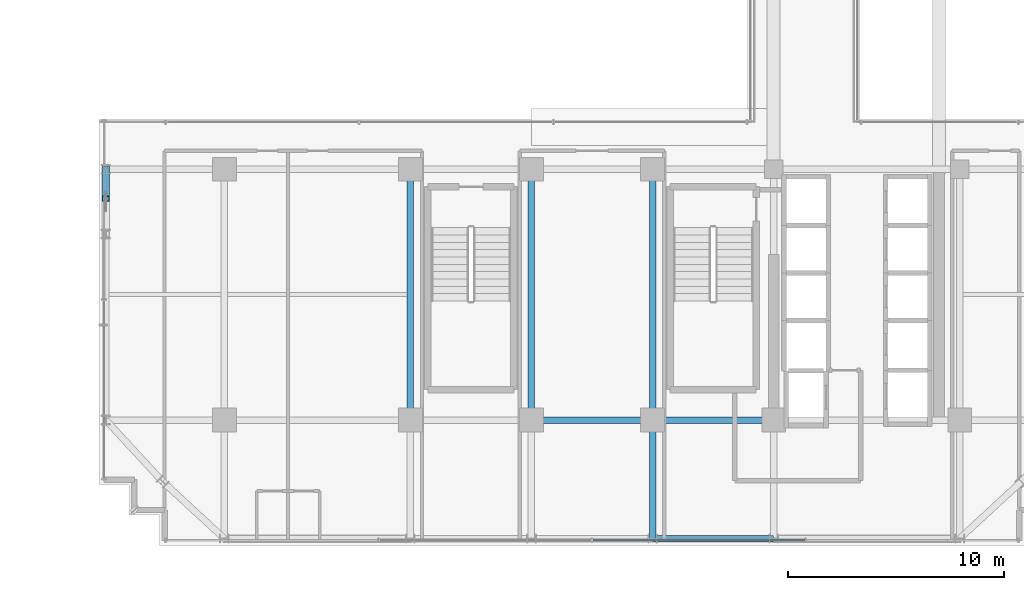
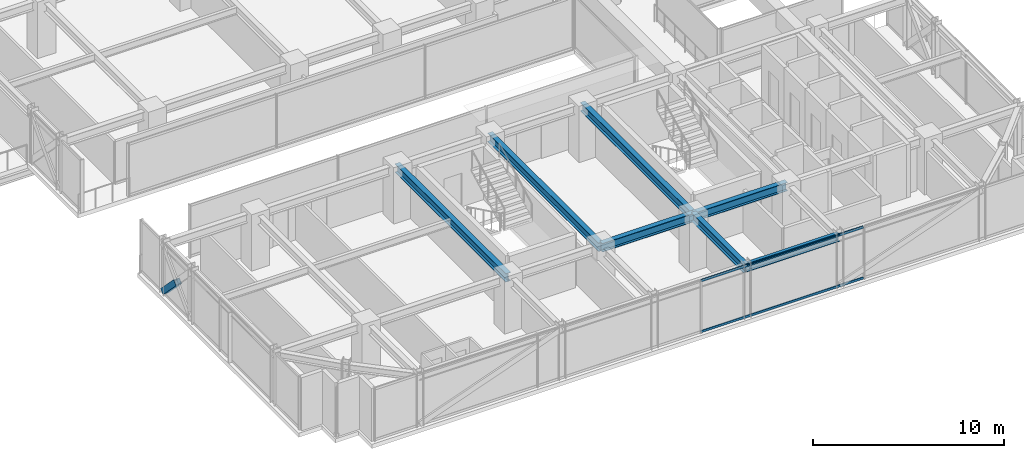
# One storey, part 7 of 43: 7 beams, 3 members, 1 element without a shape of its own.
"""IFC4 building model written with IfcOpenShell, lengths in metres."""

from ifc_helpers import new_model, si_unit, direction, frame, origin, origin_2d, place, context, subcontext, project, spatial, hollow_rectangle, i_section, extrude, source, transform, mapped, material, material_profile, profile_set, type_object, element, aggregate, save


model = new_model("IFC4")

# Units and contexts
model_context = context("Model", 3, precision=1e-05, world=origin(), true_north=direction((0.0, 1.0)))
body_context = subcontext(model_context, "Body", "Model", "MODEL_VIEW")
ifc_project = project(units=[si_unit("LENGTHUNIT", "METRE"), si_unit("AREAUNIT", "SQUARE_METRE"), si_unit("VOLUMEUNIT", "CUBIC_METRE"), si_unit("PLANEANGLEUNIT", "RADIAN"), si_unit("MASSUNIT", "GRAM", prefix="KILO")], contexts=[model_context])

# Site, building, storey
site_placement = place(None, origin())
site = spatial("IfcSite", under=ifc_project, at=site_placement, CompositionType="ELEMENT")
building_placement = place(site_placement, origin())
building = spatial("IfcBuilding", under=site, at=building_placement, Name="Nahalor Promenade Grand Hotel", CompositionType="ELEMENT")
storey_placement = place(building_placement, frame((0.0, 0.0, 181.85009765625)))
storey = spatial("IfcBuildingStorey", under=building, at=storey_placement, Name="L46", CompositionType="ELEMENT", Elevation=181.85009765625)

# Beams
ifc_material_1 = material(Name="Steel S355JR", Category="steel")
ifc_material_profile_1 = material_profile(ifc_material_1, i_section(OverallWidth=0.3, OverallDepth=0.55, WebThickness=0.015, FlangeThickness=0.029, at=origin_2d()), Name="HEB 550")
ifc_profile_set_1 = profile_set([ifc_material_profile_1], Name="Steel S355JR")
beam_type_1 = type_object("IfcBeamType", Name="Beam-Girder-HEB550", PredefinedType="BEAM", material=ifc_profile_set_1)
shared_shape_1 = source(origin(), body_context, "Body", "SweptSolid", [
    extrude(i_section(OverallWidth=0.3, OverallDepth=0.55, WebThickness=0.015, FlangeThickness=0.029, at=origin_2d()), origin(), (0.0, 0.0, 1.0), 5.599853515625),
])
beam_1_placement = place(storey_placement, frame((2.800048828125, -17.0, 3.114990234375), z_axis=(1.0, 0.0, 0.0), x_axis=(0.0, 1.0, 0.0)))
element("IfcBeam", 1, at=beam_1_placement, inside=storey, type_object=beam_type_1, Name="BM-L46-GX-0-4", PredefinedType="BEAM", context=body_context, shape_type="MappedRepresentation", body=[
    mapped(shared_shape_1, transform((0.0, 0.0, 0.0), scale=1.0)),
])
shared_shape_2 = source(origin(), body_context, "Body", "SweptSolid", [
    extrude(i_section(OverallWidth=0.3, OverallDepth=0.55, WebThickness=0.015, FlangeThickness=0.029, at=origin_2d()), origin(), (0.0, 0.0, 1.0), 5.60009765625),
])
beam_2_placement = place(storey_placement, frame((-2.800048828125, -17.0, 3.114990234375), z_axis=(1.0, 0.0, 0.0), x_axis=(0.0, 1.0, 0.0)))
element("IfcBeam", 2, at=beam_2_placement, inside=storey, type_object=beam_type_1, Name="BM-L46-GX-0-3", PredefinedType="BEAM", context=body_context, shape_type="MappedRepresentation", body=[
    mapped(shared_shape_2, transform((0.0, 0.0, 0.0), scale=1.0)),
])
shared_shape_3 = source(origin(), body_context, "Body", "SweptSolid", [
    extrude(i_section(OverallWidth=0.3, OverallDepth=0.55, WebThickness=0.015, FlangeThickness=0.029, at=origin_2d()), origin(), (0.0, 0.0, 1.0), 11.60009765625),
])
for number, where, z_axis, x_axis, name in (
    (3, (-8.39990234375, -17.0, 3.114990234375), (0.0, 1.0, 0.0), (-1.0, 0.0, 0.0), "BM-L46-GY-1-1"),
    (4, (-2.800048828125, -17.0, 3.114990234375), (0.0, 1.0, 0.0), (-1.0, 0.0, 0.0), "BM-L46-GY-2-1"),
    (5, (2.800048828125, -17.0, 3.114990234375), (0.0, 1.0, 0.0), (-1.0, 0.0, 0.0), "BM-L46-GY-3-1"),
):
    element("IfcBeam", number, at=place(storey_placement, frame(where, z_axis=z_axis, x_axis=x_axis)), inside=storey, type_object=beam_type_1, Name=name, PredefinedType="BEAM", context=body_context, shape_type="MappedRepresentation", body=[
        mapped(shared_shape_3, transform((0.0, 0.0, 0.0), scale=1.0)),
    ])
shared_shape_4 = source(origin(), body_context, "Body", "SweptSolid", [
    extrude(i_section(OverallWidth=0.3, OverallDepth=0.55, WebThickness=0.015, FlangeThickness=0.029, at=origin_2d()), origin(), (0.0, 0.0, 1.0), 5.47998046875),
])
beam_3_placement = place(storey_placement, frame((2.800048828125, -22.47998046875, 3.114990234375), z_axis=(0.0, 1.0, 0.0), x_axis=(-1.0, 0.0, 0.0)))
element("IfcBeam", 6, at=beam_3_placement, inside=storey, type_object=beam_type_1, Name="BM-L46-GY-3-0", PredefinedType="BEAM", context=body_context, shape_type="MappedRepresentation", body=[
    mapped(shared_shape_4, transform((0.0, 0.0, 0.0), scale=1.0)),
])
ifc_material_profile_2 = material_profile(ifc_material_1, i_section(OverallWidth=0.3, OverallDepth=0.45, WebThickness=0.014, FlangeThickness=0.026, at=origin_2d()), Name="HEB 450")
ifc_profile_set_2 = profile_set([ifc_material_profile_2], Name="Steel S355JR")
beam_type_2 = type_object("IfcBeamType", Name="Beam-Spandrel-HEB450", PredefinedType="SPANDREL", material=ifc_profile_set_2)
shared_shape_5 = source(origin(), body_context, "Body", "SweptSolid", [
    extrude(i_section(OverallWidth=0.3, OverallDepth=0.45, WebThickness=0.014, FlangeThickness=0.026, at=origin_2d()), origin(), (0.0, 0.0, 1.0), 5.599853515625),
])
beam_4_placement = place(storey_placement, frame((2.800048828125, -22.47998046875, 3.164794921875), z_axis=(1.0, 0.0, 0.0), x_axis=(0.0, 1.0, 0.0)))
element("IfcBeam", 7, at=beam_4_placement, inside=storey, type_object=beam_type_2, Name="BM-L46-SP-S-3", PredefinedType="SPANDREL", context=body_context, shape_type="MappedRepresentation", body=[
    mapped(shared_shape_5, transform((0.0, 0.0, 0.0), scale=1.0)),
])

# Member
ifc_material_profile_3 = material_profile(ifc_material_1, hollow_rectangle(XDim=0.35, YDim=0.35, WallThickness=0.02, at=origin_2d()), Name="SHS 350x350x20")
ifc_profile_set_3 = profile_set([ifc_material_profile_3], Name="Steel S355JR")
member_type_1 = type_object("IfcMemberType", Name="Mem-VoidBrace-SHS350", PredefinedType="BRACE", material=ifc_profile_set_3)
shared_shape_6 = source(origin(), body_context, "Body", "SweptSolid", [
    extrude(hollow_rectangle(XDim=0.35, YDim=0.35, WallThickness=0.02, at=origin_2d()), origin(), (0.0, 0.0, 1.0), 1.966552734375),
])
member_1_placement = place(storey_placement, frame((-22.47998046875, -5.39990234375, 0.14990234375), z_axis=(0.0, -0.696601340579, 0.71745841155), x_axis=(1.0, 0.0, 0.0)))
element("IfcMember", 8, at=member_1_placement, inside=storey, type_object=member_type_1, Name="EXO-L46-VX2-W0A", PredefinedType="BRACE", context=body_context, shape_type="MappedRepresentation", body=[
    mapped(shared_shape_6, transform((0.0, 0.0, 0.0), scale=1.0)),
])

# Curtain wall, members
ifc_material_2 = material(Name="Anodised Bronze Aluminium EN AW-6063 T6", Category="aluminium")
curtain_wall_type = type_object("IfcCurtainWallType", Name="CW3 Elliptical-Void Collar Unitised Curtain Wall", PredefinedType="USERDEFINED", material=ifc_material_2)
curtain_wall_placement = place(storey_placement, origin())
curtain_wall = element("IfcCurtainWall", 9, at=curtain_wall_placement, inside=storey, type_object=curtain_wall_type, Name="L46 Curtain Wall CW-L46-S-1", ObjectType="UNITISED_CURTAIN_WALL", PredefinedType="USERDEFINED")
ifc_material_profile_4 = material_profile(ifc_material_2, hollow_rectangle(XDim=0.07, YDim=0.14, WallThickness=0.004, at=origin_2d()), Name="CWT 70x140x4")
ifc_profile_set_4 = profile_set([ifc_material_profile_4], Name="Anodised Bronze Aluminium EN AW-6063 T6")
member_type_2 = type_object("IfcMemberType", Name="CWT3 Void Collar Transom 70x140", PredefinedType="USERDEFINED", material=ifc_profile_set_4)
shared_shape_7 = source(origin(), body_context, "Body", "SweptSolid", [
    extrude(hollow_rectangle(XDim=0.07, YDim=0.14, WallThickness=0.004, at=origin_2d()), origin(), (0.0, 0.0, 1.0), 9.81005859375),
])
member_2_placement = place(storey_placement, frame((0.034912109375, -22.56005859375, 0.06982421875), z_axis=(1.0, 0.0, 0.0), x_axis=(0.0, 1.0, 0.0)))
member_2 = element("IfcMember", 10, at=member_2_placement, type_object=member_type_2, Name="CW-L46-S-1 Transom 2-0", ObjectType="TRANSOM", PredefinedType="USERDEFINED", context=body_context, shape_type="MappedRepresentation", body=[
    mapped(shared_shape_7, transform((0.0, 0.0, 0.0), scale=1.0)),
])
member_3_placement = place(storey_placement, frame((0.034912109375, -22.56005859375, 3.31982421875), z_axis=(1.0, 0.0, 0.0), x_axis=(0.0, 1.0, 0.0)))
member_3 = element("IfcMember", 11, at=member_3_placement, type_object=member_type_2, Name="CW-L46-S-1 Transom 2-1", ObjectType="TRANSOM", PredefinedType="USERDEFINED", context=body_context, shape_type="MappedRepresentation", body=[
    mapped(shared_shape_7, transform((0.0, 0.0, 0.0), scale=1.0)),
])
aggregate(curtain_wall, [member_2, member_3])

save(model, "model.ifc")
